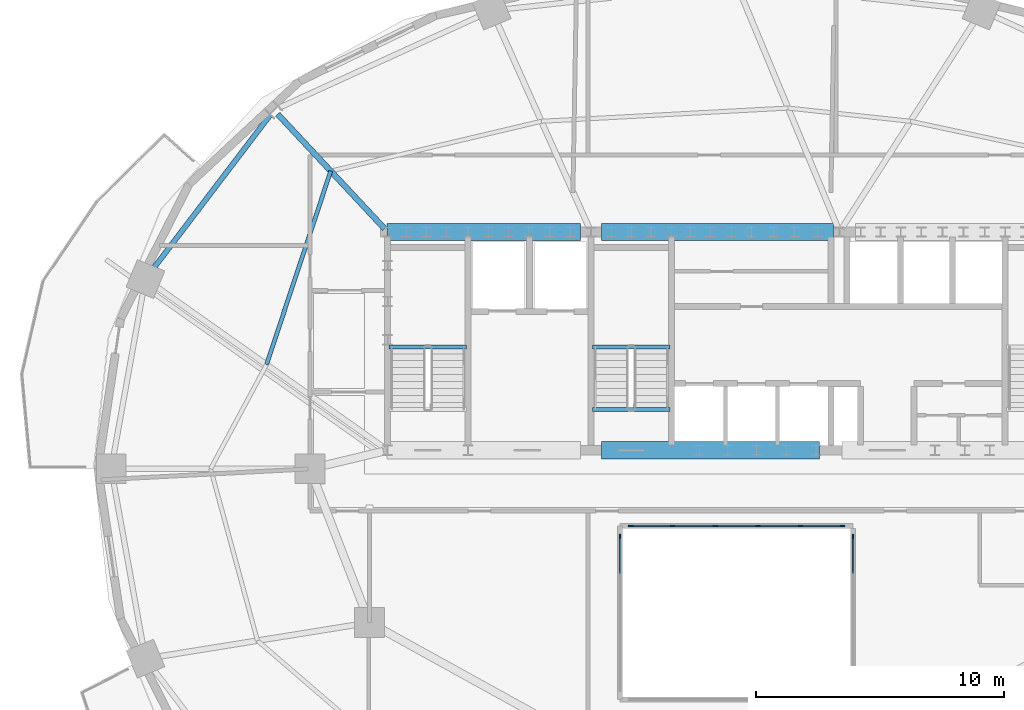
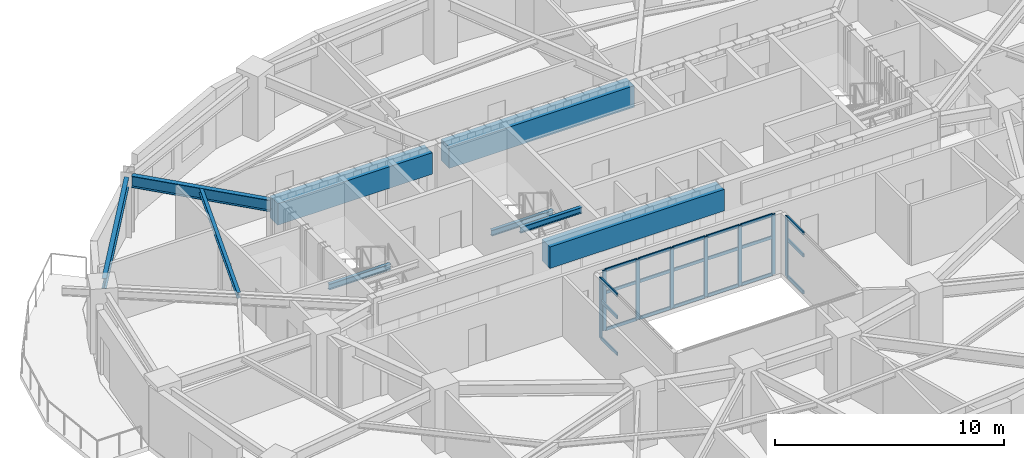
# One storey, part 3 of 11: 29 members, 9 beams, 3 elements without a shape of their own.
"""IFC4 building model written with IfcOpenShell, lengths in metres."""

from ifc_helpers import new_model, si_unit, direction, frame, origin, origin_2d, place, context, subcontext, project, spatial, rectangle, i_section, extrude, material, material_profile, profile_set, type_object, element, aggregate, save


model = new_model("IFC4")

# Units and contexts
model_context = context("Model", 3, precision=1e-05, world=origin(), true_north=direction((0.0, 1.0)))
body_context = subcontext(model_context, "Body", "Model", "MODEL_VIEW")
ifc_project = project(units=[si_unit("LENGTHUNIT", "METRE"), si_unit("AREAUNIT", "SQUARE_METRE"), si_unit("VOLUMEUNIT", "CUBIC_METRE"), si_unit("PLANEANGLEUNIT", "RADIAN"), si_unit("MASSUNIT", "GRAM", prefix="KILO")], contexts=[model_context])

# Site, building, storey
site_placement = place(None, origin())
site = spatial("IfcSite", under=ifc_project, at=site_placement, CompositionType="ELEMENT")
building_placement = place(site_placement, origin())
building = spatial("IfcBuilding", under=site, at=building_placement, Name="Haldorwick Loom Tower", CompositionType="ELEMENT")
storey_placement = place(building_placement, frame((0.0, 0.0, 168.25)))
storey = spatial("IfcBuildingStorey", under=building, at=storey_placement, Name="L45", CompositionType="ELEMENT", Elevation=168.25)

# Curtain wall, members
ifc_material_1 = material(Name="Thermally Broken Anodized Aluminium Curtain Wall Framing", Category="aluminium")
curtain_wall_type = type_object("IfcCurtainWallType", Name="ARC-CW-03", PredefinedType="NOTDEFINED", material=ifc_material_1)
curtain_wall_1_placement = place(storey_placement, origin())
curtain_wall_1 = element("IfcCurtainWall", 1, at=curtain_wall_1_placement, inside=storey, type_object=curtain_wall_type, Name="L45 Atrium Glazed Screen N", PredefinedType="NOTDEFINED")
ifc_material_profile_1 = material_profile(ifc_material_1, rectangle(XDim=0.06591796875, YDim=0.18505859375, at=origin_2d()), Name="ALU_MUL_66X185", Category="aluminium")
ifc_profile_set_1 = profile_set([ifc_material_profile_1], Name="Thermally Broken Anodized Aluminium Curtain Wall Framing")
member_type_1 = type_object("IfcMemberType", Name="ARC-CWM-03", PredefinedType="MULLION", material=ifc_profile_set_1)
member_1_placement = place(storey_placement, frame((31.73291015625, 23.699951171875, 0.0), z_axis=(0.0, 0.0, 1.0), x_axis=(0.0, 1.0, 0.0)))
member_1 = element("IfcMember", 2, at=member_1_placement, type_object=member_type_1, Name="CW-03 mullion 1", PredefinedType="MULLION", context=body_context, shape_type="SweptSolid", body=[
    extrude(rectangle(XDim=0.06591796875, YDim=0.18505859375, at=origin_2d()), origin(), (0.0, 0.0, 1.0), 3.2099609375),
])
member_2_placement = place(storey_placement, frame((33.419921875, 23.699951171875, 0.0), z_axis=(0.0, 0.0, 1.0), x_axis=(0.0, 1.0, 0.0)))
member_2 = element("IfcMember", 3, at=member_2_placement, type_object=member_type_1, Name="CW-03 mullion 2", PredefinedType="MULLION", context=body_context, shape_type="SweptSolid", body=[
    extrude(rectangle(XDim=0.06591796875, YDim=0.18505859375, at=origin_2d()), origin(), (0.0, 0.0, 1.0), 3.2099609375),
])
member_3_placement = place(storey_placement, frame((35.139892578125, 23.699951171875, 0.0), z_axis=(0.0, 0.0, 1.0), x_axis=(0.0, 1.0, 0.0)))
member_3 = element("IfcMember", 4, at=member_3_placement, type_object=member_type_1, Name="CW-03 mullion 3", PredefinedType="MULLION", context=body_context, shape_type="SweptSolid", body=[
    extrude(rectangle(XDim=0.06591796875, YDim=0.18505859375, at=origin_2d()), origin(), (0.0, 0.0, 1.0), 3.2099609375),
])
member_4_placement = place(storey_placement, frame((36.860107421875, 23.699951171875, 0.0), z_axis=(0.0, 0.0, 1.0), x_axis=(0.0, 1.0, 0.0)))
member_4 = element("IfcMember", 5, at=member_4_placement, type_object=member_type_1, Name="CW-03 mullion 4", PredefinedType="MULLION", context=body_context, shape_type="SweptSolid", body=[
    extrude(rectangle(XDim=0.06591796875, YDim=0.18505859375, at=origin_2d()), origin(), (0.0, 0.0, 1.0), 3.2099609375),
])
member_5_placement = place(storey_placement, frame((38.580078125, 23.699951171875, 0.0), z_axis=(0.0, 0.0, 1.0), x_axis=(0.0, 1.0, 0.0)))
member_5 = element("IfcMember", 6, at=member_5_placement, type_object=member_type_1, Name="CW-03 mullion 5", PredefinedType="MULLION", context=body_context, shape_type="SweptSolid", body=[
    extrude(rectangle(XDim=0.06591796875, YDim=0.18505859375, at=origin_2d()), origin(), (0.0, 0.0, 1.0), 3.2099609375),
])
member_6_placement = place(storey_placement, frame((40.26708984375, 23.699951171875, 0.0), z_axis=(0.0, 0.0, 1.0), x_axis=(0.0, 1.0, 0.0)))
member_6 = element("IfcMember", 7, at=member_6_placement, type_object=member_type_1, Name="CW-03 mullion 6", PredefinedType="MULLION", context=body_context, shape_type="SweptSolid", body=[
    extrude(rectangle(XDim=0.06591796875, YDim=0.18505859375, at=origin_2d()), origin(), (0.0, 0.0, 1.0), 3.2099609375),
])

# Curtain wall, member
curtain_wall_2_placement = place(storey_placement, origin())
curtain_wall_2 = element("IfcCurtainWall", 8, at=curtain_wall_2_placement, inside=storey, type_object=curtain_wall_type, Name="L45 Atrium Glazed Screen W", PredefinedType="NOTDEFINED")
member_7_placement = place(storey_placement, frame((31.300048828125, 23.26708984375, 0.0), z_axis=(0.0, 0.0, 1.0), x_axis=(-1.0, 0.0, 0.0)))
member_7 = element("IfcMember", 9, at=member_7_placement, type_object=member_type_1, Name="CW-03 mullion 5", PredefinedType="MULLION", context=body_context, shape_type="SweptSolid", body=[
    extrude(rectangle(XDim=0.06591796875, YDim=0.18505859375, at=origin_2d()), origin(), (0.0, 0.0, 1.0), 3.2099609375),
])

curtain_wall_3_placement = place(storey_placement, origin())
curtain_wall_3 = element("IfcCurtainWall", 10, at=curtain_wall_3_placement, inside=storey, type_object=curtain_wall_type, Name="L45 Atrium Glazed Screen E", PredefinedType="NOTDEFINED")
member_8_placement = place(storey_placement, frame((40.699951171875, 23.26708984375, 0.0), z_axis=(0.0, 0.0, 1.0), x_axis=(1.0, 0.0, 0.0)))
member_8 = element("IfcMember", 11, at=member_8_placement, type_object=member_type_1, Name="CW-03 mullion 1", PredefinedType="MULLION", context=body_context, shape_type="SweptSolid", body=[
    extrude(rectangle(XDim=0.06591796875, YDim=0.18505859375, at=origin_2d()), origin(), (0.0, 0.0, 1.0), 3.2099609375),
])

# Member
ifc_material_profile_2 = material_profile(ifc_material_1, rectangle(XDim=0.06591796875, YDim=0.1650390625, at=origin_2d()), Name="ALU_TRN_66X165", Category="aluminium")
ifc_profile_set_2 = profile_set([ifc_material_profile_2], Name="Thermally Broken Anodized Aluminium Curtain Wall Framing")
member_type_2 = type_object("IfcMemberType", Name="ARC-CWT-03", PredefinedType="USERDEFINED", material=ifc_profile_set_2)
member_9_placement = place(storey_placement, frame((31.76611328125, 23.699951171875, 0.032958984375), z_axis=(1.0, 0.0, 0.0), x_axis=(0.0, 1.0, 0.0)))
member_9 = element("IfcMember", 12, at=member_9_placement, type_object=member_type_2, Name="CW-03 transom 1.1", ObjectType="TRANSOM", PredefinedType="USERDEFINED", context=body_context, shape_type="SweptSolid", body=[
    extrude(rectangle(XDim=0.06591796875, YDim=0.1650390625, at=origin_2d()), origin(), (0.0, 0.0, 1.0), 1.620849609375),
])

member_10_placement = place(storey_placement, frame((31.76611328125, 23.699951171875, 2.0), z_axis=(1.0, 0.0, 0.0), x_axis=(0.0, 1.0, 0.0)))
member_10 = element("IfcMember", 13, at=member_10_placement, type_object=member_type_2, Name="CW-03 transom 1.2", ObjectType="TRANSOM", PredefinedType="USERDEFINED", context=body_context, shape_type="SweptSolid", body=[
    extrude(rectangle(XDim=0.06591796875, YDim=0.1650390625, at=origin_2d()), origin(), (0.0, 0.0, 1.0), 1.620849609375),
])

member_11_placement = place(storey_placement, frame((31.76611328125, 23.699951171875, 3.177001953125), z_axis=(1.0, 0.0, 0.0), x_axis=(0.0, 1.0, 0.0)))
member_11 = element("IfcMember", 14, at=member_11_placement, type_object=member_type_2, Name="CW-03 transom 1.3", ObjectType="TRANSOM", PredefinedType="USERDEFINED", context=body_context, shape_type="SweptSolid", body=[
    extrude(rectangle(XDim=0.06591796875, YDim=0.1650390625, at=origin_2d()), origin(), (0.0, 0.0, 1.0), 1.620849609375),
])

member_12_placement = place(storey_placement, frame((33.452880859375, 23.699951171875, 0.032958984375), z_axis=(1.0, 0.0, 0.0), x_axis=(0.0, 1.0, 0.0)))
member_12 = element("IfcMember", 15, at=member_12_placement, type_object=member_type_2, Name="CW-03 transom 2.1", ObjectType="TRANSOM", PredefinedType="USERDEFINED", context=body_context, shape_type="SweptSolid", body=[
    extrude(rectangle(XDim=0.06591796875, YDim=0.1650390625, at=origin_2d()), origin(), (0.0, 0.0, 1.0), 1.654052734375),
])

member_13_placement = place(storey_placement, frame((33.452880859375, 23.699951171875, 2.0), z_axis=(1.0, 0.0, 0.0), x_axis=(0.0, 1.0, 0.0)))
member_13 = element("IfcMember", 16, at=member_13_placement, type_object=member_type_2, Name="CW-03 transom 2.2", ObjectType="TRANSOM", PredefinedType="USERDEFINED", context=body_context, shape_type="SweptSolid", body=[
    extrude(rectangle(XDim=0.06591796875, YDim=0.1650390625, at=origin_2d()), origin(), (0.0, 0.0, 1.0), 1.654052734375),
])

member_14_placement = place(storey_placement, frame((33.452880859375, 23.699951171875, 3.177001953125), z_axis=(1.0, 0.0, 0.0), x_axis=(0.0, 1.0, 0.0)))
member_14 = element("IfcMember", 17, at=member_14_placement, type_object=member_type_2, Name="CW-03 transom 2.3", ObjectType="TRANSOM", PredefinedType="USERDEFINED", context=body_context, shape_type="SweptSolid", body=[
    extrude(rectangle(XDim=0.06591796875, YDim=0.1650390625, at=origin_2d()), origin(), (0.0, 0.0, 1.0), 1.654052734375),
])

member_15_placement = place(storey_placement, frame((35.173095703125, 23.699951171875, 0.032958984375), z_axis=(1.0, 0.0, 0.0), x_axis=(0.0, 1.0, 0.0)))
member_15 = element("IfcMember", 18, at=member_15_placement, type_object=member_type_2, Name="CW-03 transom 3.1", ObjectType="TRANSOM", PredefinedType="USERDEFINED", context=body_context, shape_type="SweptSolid", body=[
    extrude(rectangle(XDim=0.06591796875, YDim=0.1650390625, at=origin_2d()), origin(), (0.0, 0.0, 1.0), 1.65380859375),
])

member_16_placement = place(storey_placement, frame((35.173095703125, 23.699951171875, 2.0), z_axis=(1.0, 0.0, 0.0), x_axis=(0.0, 1.0, 0.0)))
member_16 = element("IfcMember", 19, at=member_16_placement, type_object=member_type_2, Name="CW-03 transom 3.2", ObjectType="TRANSOM", PredefinedType="USERDEFINED", context=body_context, shape_type="SweptSolid", body=[
    extrude(rectangle(XDim=0.06591796875, YDim=0.1650390625, at=origin_2d()), origin(), (0.0, 0.0, 1.0), 1.65380859375),
])

member_17_placement = place(storey_placement, frame((35.173095703125, 23.699951171875, 3.177001953125), z_axis=(1.0, 0.0, 0.0), x_axis=(0.0, 1.0, 0.0)))
member_17 = element("IfcMember", 20, at=member_17_placement, type_object=member_type_2, Name="CW-03 transom 3.3", ObjectType="TRANSOM", PredefinedType="USERDEFINED", context=body_context, shape_type="SweptSolid", body=[
    extrude(rectangle(XDim=0.06591796875, YDim=0.1650390625, at=origin_2d()), origin(), (0.0, 0.0, 1.0), 1.65380859375),
])

member_18_placement = place(storey_placement, frame((36.89306640625, 23.699951171875, 0.032958984375), z_axis=(1.0, 0.0, 0.0), x_axis=(0.0, 1.0, 0.0)))
member_18 = element("IfcMember", 21, at=member_18_placement, type_object=member_type_2, Name="CW-03 transom 4.1", ObjectType="TRANSOM", PredefinedType="USERDEFINED", context=body_context, shape_type="SweptSolid", body=[
    extrude(rectangle(XDim=0.06591796875, YDim=0.1650390625, at=origin_2d()), origin(), (0.0, 0.0, 1.0), 1.654052734375),
])

member_19_placement = place(storey_placement, frame((36.89306640625, 23.699951171875, 2.0), z_axis=(1.0, 0.0, 0.0), x_axis=(0.0, 1.0, 0.0)))
member_19 = element("IfcMember", 22, at=member_19_placement, type_object=member_type_2, Name="CW-03 transom 4.2", ObjectType="TRANSOM", PredefinedType="USERDEFINED", context=body_context, shape_type="SweptSolid", body=[
    extrude(rectangle(XDim=0.06591796875, YDim=0.1650390625, at=origin_2d()), origin(), (0.0, 0.0, 1.0), 1.654052734375),
])

member_20_placement = place(storey_placement, frame((36.89306640625, 23.699951171875, 3.177001953125), z_axis=(1.0, 0.0, 0.0), x_axis=(0.0, 1.0, 0.0)))
member_20 = element("IfcMember", 23, at=member_20_placement, type_object=member_type_2, Name="CW-03 transom 4.3", ObjectType="TRANSOM", PredefinedType="USERDEFINED", context=body_context, shape_type="SweptSolid", body=[
    extrude(rectangle(XDim=0.06591796875, YDim=0.1650390625, at=origin_2d()), origin(), (0.0, 0.0, 1.0), 1.654052734375),
])

member_21_placement = place(storey_placement, frame((38.613037109375, 23.699951171875, 0.032958984375), z_axis=(1.0, 0.0, 0.0), x_axis=(0.0, 1.0, 0.0)))
member_21 = element("IfcMember", 24, at=member_21_placement, type_object=member_type_2, Name="CW-03 transom 5.1", ObjectType="TRANSOM", PredefinedType="USERDEFINED", context=body_context, shape_type="SweptSolid", body=[
    extrude(rectangle(XDim=0.06591796875, YDim=0.1650390625, at=origin_2d()), origin(), (0.0, 0.0, 1.0), 1.620849609375),
])

member_22_placement = place(storey_placement, frame((38.613037109375, 23.699951171875, 2.0), z_axis=(1.0, 0.0, 0.0), x_axis=(0.0, 1.0, 0.0)))
member_22 = element("IfcMember", 25, at=member_22_placement, type_object=member_type_2, Name="CW-03 transom 5.2", ObjectType="TRANSOM", PredefinedType="USERDEFINED", context=body_context, shape_type="SweptSolid", body=[
    extrude(rectangle(XDim=0.06591796875, YDim=0.1650390625, at=origin_2d()), origin(), (0.0, 0.0, 1.0), 1.620849609375),
])

member_23_placement = place(storey_placement, frame((38.613037109375, 23.699951171875, 3.177001953125), z_axis=(1.0, 0.0, 0.0), x_axis=(0.0, 1.0, 0.0)))
member_23 = element("IfcMember", 26, at=member_23_placement, type_object=member_type_2, Name="CW-03 transom 5.3", ObjectType="TRANSOM", PredefinedType="USERDEFINED", context=body_context, shape_type="SweptSolid", body=[
    extrude(rectangle(XDim=0.06591796875, YDim=0.1650390625, at=origin_2d()), origin(), (0.0, 0.0, 1.0), 1.620849609375),
])

aggregate(curtain_wall_1, [member_1, member_2, member_3, member_4, member_5, member_6, member_9, member_10, member_11, member_12, member_13, member_14, member_15, member_16, member_17, member_18, member_19, member_20, member_21, member_22, member_23])

member_24_placement = place(storey_placement, frame((31.300048828125, 21.782958984375, 0.032958984375), z_axis=(0.0, 1.0, 0.0), x_axis=(-1.0, 0.0, 0.0)))
member_24 = element("IfcMember", 27, at=member_24_placement, type_object=member_type_2, Name="CW-03 transom 4.1", ObjectType="TRANSOM", PredefinedType="USERDEFINED", context=body_context, shape_type="SweptSolid", body=[
    extrude(rectangle(XDim=0.06591796875, YDim=0.1650390625, at=origin_2d()), origin(), (0.0, 0.0, 1.0), 1.450927734375),
])

member_25_placement = place(storey_placement, frame((31.300048828125, 21.782958984375, 2.0), z_axis=(0.0, 1.0, 0.0), x_axis=(-1.0, 0.0, 0.0)))
member_25 = element("IfcMember", 28, at=member_25_placement, type_object=member_type_2, Name="CW-03 transom 4.2", ObjectType="TRANSOM", PredefinedType="USERDEFINED", context=body_context, shape_type="SweptSolid", body=[
    extrude(rectangle(XDim=0.06591796875, YDim=0.1650390625, at=origin_2d()), origin(), (0.0, 0.0, 1.0), 1.450927734375),
])

member_26_placement = place(storey_placement, frame((31.300048828125, 21.782958984375, 3.177001953125), z_axis=(0.0, 1.0, 0.0), x_axis=(-1.0, 0.0, 0.0)))
member_26 = element("IfcMember", 29, at=member_26_placement, type_object=member_type_2, Name="CW-03 transom 4.3", ObjectType="TRANSOM", PredefinedType="USERDEFINED", context=body_context, shape_type="SweptSolid", body=[
    extrude(rectangle(XDim=0.06591796875, YDim=0.1650390625, at=origin_2d()), origin(), (0.0, 0.0, 1.0), 1.450927734375),
])

aggregate(curtain_wall_2, [member_7, member_24, member_25, member_26])

member_27_placement = place(storey_placement, frame((40.699951171875, 23.23388671875, 0.032958984375), z_axis=(0.0, -1.0, 0.0), x_axis=(1.0, 0.0, 0.0)))
member_27 = element("IfcMember", 30, at=member_27_placement, type_object=member_type_2, Name="CW-03 transom 1.1", ObjectType="TRANSOM", PredefinedType="USERDEFINED", context=body_context, shape_type="SweptSolid", body=[
    extrude(rectangle(XDim=0.06591796875, YDim=0.1650390625, at=origin_2d()), origin(), (0.0, 0.0, 1.0), 1.450927734375),
])

member_28_placement = place(storey_placement, frame((40.699951171875, 23.23388671875, 2.0), z_axis=(0.0, -1.0, 0.0), x_axis=(1.0, 0.0, 0.0)))
member_28 = element("IfcMember", 31, at=member_28_placement, type_object=member_type_2, Name="CW-03 transom 1.2", ObjectType="TRANSOM", PredefinedType="USERDEFINED", context=body_context, shape_type="SweptSolid", body=[
    extrude(rectangle(XDim=0.06591796875, YDim=0.1650390625, at=origin_2d()), origin(), (0.0, 0.0, 1.0), 1.450927734375),
])

member_29_placement = place(storey_placement, frame((40.699951171875, 23.23388671875, 3.177001953125), z_axis=(0.0, -1.0, 0.0), x_axis=(1.0, 0.0, 0.0)))
member_29 = element("IfcMember", 32, at=member_29_placement, type_object=member_type_2, Name="CW-03 transom 1.3", ObjectType="TRANSOM", PredefinedType="USERDEFINED", context=body_context, shape_type="SweptSolid", body=[
    extrude(rectangle(XDim=0.06591796875, YDim=0.1650390625, at=origin_2d()), origin(), (0.0, 0.0, 1.0), 1.450927734375),
])

aggregate(curtain_wall_3, [member_8, member_27, member_28, member_29])

# Beams
ifc_material_2 = material(Name="Concrete C60 (60 MPa)", Category="concrete")
ifc_material_profile_3 = material_profile(ifc_material_2, rectangle(XDim=0.699951171875, YDim=1.14990234375, at=origin_2d()), Name="RC700X1150", Category="concrete")
ifc_profile_set_3 = profile_set([ifc_material_profile_3], Name="Concrete C60 (60 MPa)")
beam_type_1 = type_object("IfcBeamType", Name="STR-BM-CB1150", PredefinedType="LINTEL", material=ifc_profile_set_3)
beam_1_placement = place(storey_placement, frame((21.89990234375, 35.550048828125, 2.635009765625), z_axis=(1.0, 0.0, 0.0), x_axis=(0.0, 1.0, 0.0)))
element("IfcBeam", 33, at=beam_1_placement, inside=storey, type_object=beam_type_1, Name="L45 Core Coupling Beam CB-N1", PredefinedType="LINTEL", context=body_context, shape_type="SweptSolid", body=[
    extrude(rectangle(XDim=0.699951171875, YDim=1.14990234375, at=origin_2d()), origin(), (0.0, 0.0, 1.0), 7.800048828125),
])
beam_2_placement = place(storey_placement, frame((30.550048828125, 35.550048828125, 2.635009765625), z_axis=(1.0, 0.0, 0.0), x_axis=(0.0, 1.0, 0.0)))
element("IfcBeam", 34, at=beam_2_placement, inside=storey, type_object=beam_type_1, Name="L45 Core Coupling Beam CB-N2", PredefinedType="LINTEL", context=body_context, shape_type="SweptSolid", body=[
    extrude(rectangle(XDim=0.699951171875, YDim=1.14990234375, at=origin_2d()), origin(), (0.0, 0.0, 1.0), 9.349853515625),
])
beam_3_placement = place(storey_placement, frame((30.550048828125, 26.75, 2.635009765625), z_axis=(1.0, 0.0, 0.0), x_axis=(0.0, 1.0, 0.0)))
element("IfcBeam", 35, at=beam_3_placement, inside=storey, type_object=beam_type_1, Name="L45 Core Coupling Beam CB-S2", PredefinedType="LINTEL", context=body_context, shape_type="SweptSolid", body=[
    extrude(rectangle(XDim=0.699951171875, YDim=1.14990234375, at=origin_2d()), origin(), (0.0, 0.0, 1.0), 8.800048828125),
])
ifc_material_3 = material(Name="Steel CSA G40.21 350W", Category="steel")
ifc_material_profile_4 = material_profile(ifc_material_3, i_section(OverallWidth=0.166015625, OverallDepth=0.31298828125, WebThickness=0.006591796875, FlangeThickness=0.01123046875, at=origin_2d()), Name="W310X45", Category="steel")
ifc_profile_set_4 = profile_set([ifc_material_profile_4], Name="Steel CSA G40.21 350W")
beam_type_2 = type_object("IfcBeamType", Name="STR-BM-J310", PredefinedType="JOIST", material=ifc_profile_set_4)
beam_4_placement = place(storey_placement, frame((19.63720703125, 38.007080078125, 3.053466796875), z_axis=(-0.314980632705, -0.949098098734, 0.0), x_axis=(0.949098098734, -0.314980632705, 0.0)))
element("IfcBeam", 36, at=beam_4_placement, inside=storey, type_object=beam_type_2, Name="L45 Mid-Bay Secondary Joist 7", PredefinedType="JOIST", context=body_context, shape_type="SweptSolid", body=[
    extrude(i_section(OverallWidth=0.166015625, OverallDepth=0.31298828125, WebThickness=0.006591796875, FlangeThickness=0.01123046875, at=origin_2d()), origin(), (0.0, 0.0, 1.0), 8.223876953125),
])
ifc_material_profile_5 = material_profile(ifc_material_3, i_section(OverallWidth=0.2119140625, OverallDepth=0.5439453125, WebThickness=0.01318359375, FlangeThickness=0.021240234375, at=origin_2d()), Name="W530X123", Category="steel")
ifc_profile_set_5 = profile_set([ifc_material_profile_5], Name="Steel CSA G40.21 350W")
beam_type_3 = type_object("IfcBeamType", Name="STR-BM-SP530", PredefinedType="SPANDREL", material=ifc_profile_set_5)
beam_5_placement = place(storey_placement, frame((17.208251953125, 40.28515625, 2.93798828125), z_axis=(-0.605421569293, -0.79590497136, 0.0), x_axis=(0.79590497136, -0.605421569293, 0.0)))
element("IfcBeam", 37, at=beam_5_placement, inside=storey, type_object=beam_type_3, Name="L45 Perimeter Spandrel 7", PredefinedType="SPANDREL", context=body_context, shape_type="SweptSolid", body=[
    extrude(i_section(OverallWidth=0.2119140625, OverallDepth=0.5439453125, WebThickness=0.01318359375, FlangeThickness=0.021240234375, at=origin_2d()), origin(), (0.0, 0.0, 1.0), 7.81201171875),
])
ifc_material_profile_6 = material_profile(ifc_material_3, i_section(OverallWidth=0.166015625, OverallDepth=0.31298828125, WebThickness=0.006591796875, FlangeThickness=0.01123046875, at=origin_2d()), Name="W310X45", Category="steel")
ifc_profile_set_6 = profile_set([ifc_material_profile_6], Name="Steel CSA G40.21 350W")
beam_type_4 = type_object("IfcBeamType", Name="STR-BM-STRM", PredefinedType="BEAM", material=ifc_profile_set_6)
for number, where, z_axis, x_axis, name in (
    (38, (21.989990234375, 30.919921875, 1.368408203125), (1.0, 0.0, 0.0), (0.0, 1.0, 0.0), "L45 Stair ST-01 Half-Landing Trimmer 1"),
    (39, (30.18994140625, 28.39990234375, 3.053466796875), (1.0, 0.0, 0.0), (0.0, 1.0, 0.0), "L45 Stair ST-03 Landing Edge Trimmer"),
    (40, (30.18994140625, 30.919921875, 1.368408203125), (1.0, 0.0, 0.0), (0.0, 1.0, 0.0), "L45 Stair ST-03 Half-Landing Trimmer 1"),
):
    element("IfcBeam", number, at=place(storey_placement, frame(where, z_axis=z_axis, x_axis=x_axis)), inside=storey, type_object=beam_type_4, Name=name, PredefinedType="BEAM", context=body_context, shape_type="SweptSolid", body=[
        extrude(i_section(OverallWidth=0.166015625, OverallDepth=0.31298828125, WebThickness=0.006591796875, FlangeThickness=0.01123046875, at=origin_2d()), origin(), (0.0, 0.0, 1.0), 3.1201171875),
    ])
ifc_material_profile_7 = material_profile(ifc_material_3, i_section(OverallWidth=0.22998046875, OverallDepth=0.616943359375, WebThickness=0.01318359375, FlangeThickness=0.022216796875, at=origin_2d()), Name="W610X140", Category="steel")
ifc_profile_set_7 = profile_set([ifc_material_profile_7], Name="Steel CSA G40.21 350W")
beam_type_5 = type_object("IfcBeamType", Name="STR-BM-W610B", PredefinedType="BEAM", material=ifc_profile_set_7)
beam_6_placement = place(storey_placement, frame((21.80859375, 35.68017578125, 2.901611328125), z_axis=(-0.682245282958, 0.731123364339, 0.0), x_axis=(-0.731123364339, -0.682245282958, 0.0)))
element("IfcBeam", 41, at=beam_6_placement, inside=storey, type_object=beam_type_5, Name="L45 Radial Floor Girder 7", PredefinedType="BEAM", context=body_context, shape_type="SweptSolid", body=[
    extrude(i_section(OverallWidth=0.22998046875, OverallDepth=0.616943359375, WebThickness=0.01318359375, FlangeThickness=0.022216796875, at=origin_2d()), origin(), (0.0, 0.0, 1.0), 6.318603515625),
])

save(model, "model.ifc")
